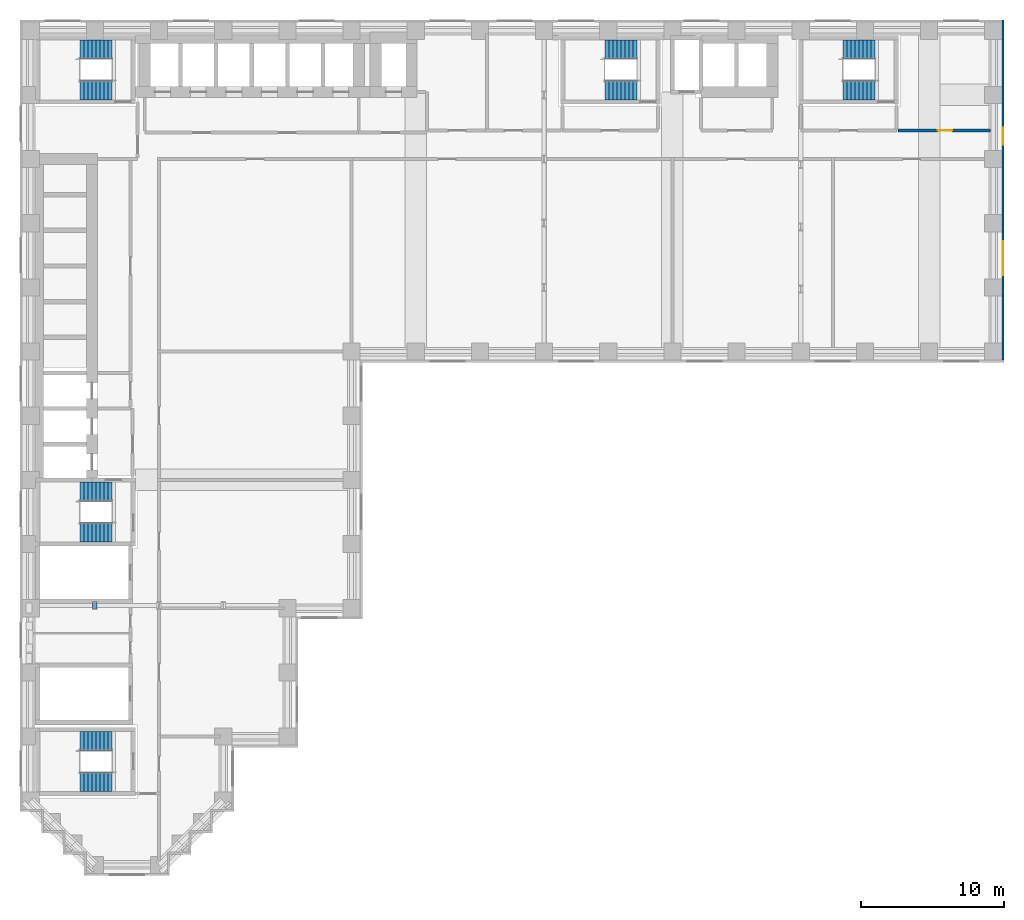
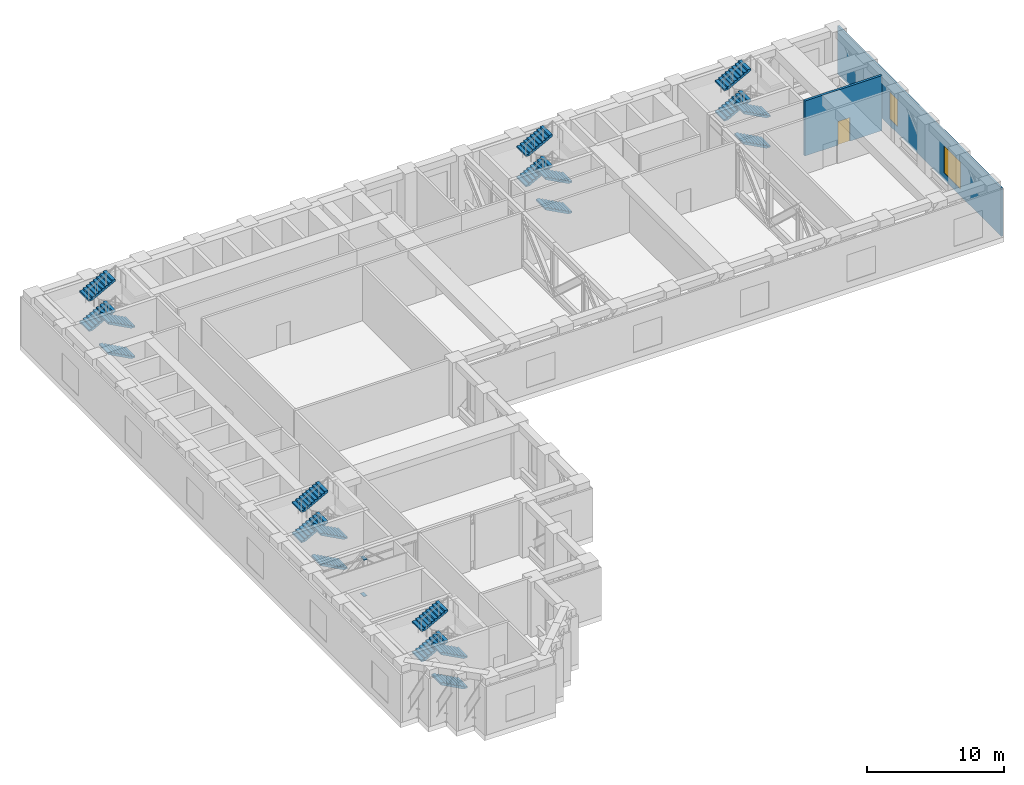
# One storey, part 9 of 13: 20 stair flights, 2 discrete accessories, 2 walls, 2 windows, 1 door, 3 openings, 5 elements without a shape of their own.
"""IFC4 building model written with IfcOpenShell, lengths in metres."""

from ifc_helpers import new_model, si_unit, direction, frame, frame_2d, origin, origin_2d, place, context, subcontext, project, spatial, polyline, rectangle, outline, extrude, material, layer, layer_set, material_profile, profile_set, type_object, element, fill, aggregate, save


model = new_model("IFC4")

# Units and contexts
model_context = context("Model", 3, precision=1e-05, world=origin(), true_north=direction((0.0, 1.0)))
body_context = subcontext(model_context, "Body", "Model", "MODEL_VIEW")
ifc_project = project(units=[si_unit("LENGTHUNIT", "METRE"), si_unit("AREAUNIT", "SQUARE_METRE"), si_unit("VOLUMEUNIT", "CUBIC_METRE"), si_unit("PLANEANGLEUNIT", "RADIAN"), si_unit("MASSUNIT", "GRAM", prefix="KILO")], contexts=[model_context])

# Site, building, storey
site_placement = place(None, origin())
site = spatial("IfcSite", under=ifc_project, at=site_placement, CompositionType="ELEMENT")
building_placement = place(site_placement, origin())
building = spatial("IfcBuilding", under=site, at=building_placement, Name="Firuza Court", CompositionType="ELEMENT")
storey_placement = place(building_placement, frame((0.0, 0.0, 108.199951171875)))
storey = spatial("IfcBuildingStorey", under=building, at=storey_placement, Name="L27", CompositionType="ELEMENT", Elevation=108.199951171875)

# Wall, opening, door
ifc_material_1 = material(Name="Blockwork, fire-rated", Category="masonry")
ifc_layer_1 = layer(ifc_material_1, 0.199951171875)
ifc_layer_set_1 = layer_set([ifc_layer_1], Name="Blockwork, fire-rated")
wall_type_1 = type_object("IfcWallType", Name="Plant room wall 200", PredefinedType="PARTITIONING", material=ifc_layer_set_1)
wall_1_placement = place(storey_placement, frame((67.30859375, 51.5, 0.0), z_axis=(0.0, 0.0, 1.0), x_axis=(-1.0, 0.0, 0.0)))
wall_1 = element("IfcWall", 1, at=wall_1_placement, inside=storey, type_object=wall_type_1, Name="Plant room wall 200 L27", PredefinedType="PARTITIONING", context=body_context, shape_type="SweptSolid", body=[
    extrude(rectangle(XDim=6.508544921875, YDim=0.199951171875, at=frame_2d((3.25439453125, 0.0))), origin(), (0.0, 0.0, 1.0), 4.900146484375),
])
opening_1_placement = place(wall_1_placement, frame((2.7041015625, 0.0, 0.0)))
opening_1 = element("IfcOpeningElement", 2, at=opening_1_placement, cuts=wall_1, Name="Opening D27033", PredefinedType="OPENING", context=body_context, shape_type="SweptSolid", body=[
    extrude(rectangle(XDim=1.0, YDim=2.10009765625, at=frame_2d((0.5, 1.050048828125))), frame((0.0, 0.11181640625, 0.0), z_axis=(0.0, -1.0, 0.0), x_axis=(1.0, 0.0, 0.0)), (0.0, 0.0, 1.0), 0.223876953125),
])
ifc_material_2 = material(Name="Timber door leaf in hardwood frame", Category="wood")
door_type = type_object("IfcDoorType", Name="Store door 1000", OperationType="SINGLE_SWING_LEFT", PredefinedType="DOOR", material=ifc_material_2)
door_placement = place(opening_1_placement, frame((1.0, 0.0, 0.0), z_axis=(0.0, 0.0, 1.0), x_axis=(-1.0, 0.0, 0.0)))
door = element("IfcDoor", 3, at=door_placement, inside=storey, type_object=door_type, Name="Store door", OperationType="SINGLE_SWING_LEFT", OverallHeight=2.10009765625, OverallWidth=1.0, PredefinedType="DOOR", context=body_context, shape_type="SweptSolid", body=[
    extrude(rectangle(XDim=1.0, YDim=2.10009765625, at=frame_2d((0.5, 1.050048828125))), frame((0.0, 0.02490234375, 0.0), z_axis=(0.0, -1.0, 0.0), x_axis=(1.0, 0.0, 0.0)), (0.0, 0.0, 1.0), 0.050048828125),
])
fill(opening_1, door)

# Wall, openings, windows
ifc_material_3 = material(Name="Ceramic tile", Category="ceramic")
ifc_layer_2 = layer(ifc_material_3, 0.02001953125)
ifc_material_4 = material(Name="Mineral wool insulation", Category="insulation")
ifc_layer_3 = layer(ifc_material_4, 0.050048828125)
ifc_material_5 = material(Name="Concrete C40/50 precast", Category="concrete")
ifc_layer_4 = layer(ifc_material_5, 0.080078125)
ifc_layer_set_2 = layer_set([ifc_layer_2, ifc_layer_3, ifc_layer_4], Name="Concrete C40/50 precast")
wall_type_2 = type_object("IfcWallType", Name="Precast cladding wall with turquoise TILE PANEL face 150", PredefinedType="STANDARD", material=ifc_layer_set_2)
wall_2_placement = place(storey_placement, frame((68.175048828125, 35.39990234375, 0.0), z_axis=(0.0, 0.0, 1.0), x_axis=(0.0, 1.0, 0.0)))
wall_2 = element("IfcWall", 4, at=wall_2_placement, inside=storey, type_object=wall_type_2, Name="Facade wall L27 E", PredefinedType="STANDARD", context=body_context, shape_type="SweptSolid", body=[
    extrude(rectangle(XDim=23.85009765625, YDim=0.14990234375, at=frame_2d((11.925048828125, 0.0))), origin(), (0.0, 0.0, 1.0), 4.300048828125),
])
opening_2_placement = place(wall_2_placement, frame((5.949951171875, 0.0, 0.60009765625)))
opening_2 = element("IfcOpeningElement", 5, at=opening_2_placement, cuts=wall_2, Name="Opening LV2", PredefinedType="OPENING", context=body_context, shape_type="SweptSolid", body=[
    extrude(rectangle(XDim=2.39990234375, YDim=2.39990234375, at=frame_2d((1.199951171875, 1.199951171875))), frame((0.0, 0.0869140625, 0.0), z_axis=(0.0, -1.0, 0.0), x_axis=(1.0, 0.0, 0.0)), (0.0, 0.0, 1.0), 0.173828125),
])
opening_3_placement = place(wall_2_placement, frame((15.109619140625, 0.0, 0.60009765625)))
opening_3 = element("IfcOpeningElement", 6, at=opening_3_placement, cuts=wall_2, Name="Opening LV5", PredefinedType="OPENING", context=body_context, shape_type="SweptSolid", body=[
    extrude(rectangle(XDim=1.199951171875, YDim=2.39990234375, at=frame_2d((0.60009765625, 1.199951171875))), frame((0.0, 0.0869140625, 0.0), z_axis=(0.0, -1.0, 0.0), x_axis=(1.0, 0.0, 0.0)), (0.0, 0.0, 1.0), 0.173828125),
])
ifc_material_6 = material(Name="Aluminium weather louvre with insect mesh", Category="aluminium")
window_type_1 = type_object("IfcWindowType", Name="Plant louvre 1200 x 2400", PartitioningType="SINGLE_PANEL", PredefinedType="USERDEFINED", material=ifc_material_6)
window_1_placement = place(opening_3_placement, origin())
window_1 = element("IfcWindow", 7, at=window_1_placement, inside=storey, type_object=window_type_1, Name="Louvre L27", ObjectType="LOUVRE", OverallHeight=2.39990234375, OverallWidth=1.199951171875, PartitioningType="SINGLE_PANEL", PredefinedType="USERDEFINED", context=body_context, shape_type="SweptSolid", body=[
    extrude(rectangle(XDim=1.199951171875, YDim=2.39990234375, at=frame_2d((0.60009765625, 1.199951171875))), frame((0.0, 0.030029296875, 0.0), z_axis=(0.0, -1.0, 0.0), x_axis=(1.0, 0.0, 0.0)), (0.0, 0.0, 1.0), 0.06005859375),
])
fill(opening_3, window_1)
ifc_material_7 = material(Name="Aluminium weather louvre with insect mesh", Category="aluminium")
window_type_2 = type_object("IfcWindowType", Name="Plant louvre 2400 x 2400", PartitioningType="SINGLE_PANEL", PredefinedType="USERDEFINED", material=ifc_material_7)
window_2_placement = place(opening_2_placement, origin())
window_2 = element("IfcWindow", 8, at=window_2_placement, inside=storey, type_object=window_type_2, Name="Louvre L27", ObjectType="LOUVRE", OverallHeight=2.39990234375, OverallWidth=2.39990234375, PartitioningType="SINGLE_PANEL", PredefinedType="USERDEFINED", context=body_context, shape_type="SweptSolid", body=[
    extrude(rectangle(XDim=2.39990234375, YDim=2.39990234375, at=frame_2d((1.199951171875, 1.199951171875))), frame((0.0, 0.030029296875, 0.0), z_axis=(0.0, -1.0, 0.0), x_axis=(1.0, 0.0, 0.0)), (0.0, 0.0, 1.0), 0.06005859375),
])
fill(opening_2, window_2)

# Stair, stair flights
ifc_material_8 = material(Name="Concrete C40/50 precast", Category="concrete")
stair_type = type_object("IfcStairType", Name="Stair 1350 x 5400 4 flights", PredefinedType="QUARTER_TURN_STAIR", material=ifc_material_8)
stair_1_placement = place(storey_placement, origin())
stair_1 = element("IfcStair", 9, at=stair_1_placement, inside=storey, type_object=stair_type, Name="Stair 1 L27", PredefinedType="QUARTER_TURN_STAIR")
ifc_material_9 = material(Name="Concrete C40/50 precast", Category="concrete")
stair_flight_type = type_object("IfcStairFlightType", Name="Flight 1350 riser 150.0", PredefinedType="STRAIGHT", material=ifc_material_9)
stair_flight_1_placement = place(storey_placement, frame((42.5, 54.324951171875, 0.0), z_axis=(0.0, 0.0, 1.0), x_axis=(-1.0, 0.0, 0.0)))
stair_flight_1 = element("IfcStairFlight", 10, at=stair_flight_1_placement, type_object=stair_flight_type, Name="S1 flight 1", NumberOfRisers=9, NumberOfTreads=8, PredefinedType="STRAIGHT", RiserHeight=0.15, TreadLength=0.28, context=body_context, shape_type="SweptSolid", body=[
    extrude(outline(polyline([(0.0, 0.0), (0.0, 0.14990234375), (0.280029296875, 0.14990234375), (0.280029296875, 0.300048828125), (0.56005859375, 0.300048828125), (0.56005859375, 0.449951171875), (0.840087890625, 0.449951171875), (0.840087890625, 0.60009765625), (1.1201171875, 0.60009765625), (1.1201171875, 0.75), (1.39990234375, 0.75), (1.39990234375, 0.89990234375), (1.679931640625, 0.89990234375), (1.679931640625, 1.050048828125), (1.9599609375, 1.050048828125), (1.9599609375, 1.199951171875), (2.239990234375, 1.199951171875), (2.239990234375, 1.35009765625), (2.239990234375, 1.030029296875), (0.3173828125, 0.0), (0.0, 0.0)])), frame((0.0, 0.675048828125, 0.0), z_axis=(0.0, -1.0, 0.0), x_axis=(1.0, 0.0, 0.0)), (0.0, 0.0, 1.0), 1.35009765625),
])
stair_flight_2_placement = place(storey_placement, frame((40.260009765625, 57.175048828125, 1.35009765625), z_axis=(0.0, 0.0, 1.0), x_axis=(1.0, 0.0, 0.0)))
stair_flight_2 = element("IfcStairFlight", 11, at=stair_flight_2_placement, type_object=stair_flight_type, Name="S1 flight 2", NumberOfRisers=9, NumberOfTreads=8, PredefinedType="STRAIGHT", RiserHeight=0.15, TreadLength=0.28, context=body_context, shape_type="SweptSolid", body=[
    extrude(outline(polyline([(0.0, 0.0), (0.0, 0.14990234375), (0.280029296875, 0.14990234375), (0.280029296875, 0.300048828125), (0.56005859375, 0.300048828125), (0.56005859375, 0.449951171875), (0.840087890625, 0.449951171875), (0.840087890625, 0.60009765625), (1.1201171875, 0.60009765625), (1.1201171875, 0.75), (1.39990234375, 0.75), (1.39990234375, 0.89990234375), (1.679931640625, 0.89990234375), (1.679931640625, 1.050048828125), (1.9599609375, 1.050048828125), (1.9599609375, 1.199951171875), (2.239990234375, 1.199951171875), (2.239990234375, 1.35009765625), (2.239990234375, 1.030029296875), (0.3173828125, 0.0), (0.0, 0.0)])), frame((0.0, 0.675048828125, 0.0), z_axis=(0.0, -1.0, 0.0), x_axis=(1.0, 0.0, 0.0)), (0.0, 0.0, 1.0), 1.35009765625),
])
stair_flight_3_placement = place(storey_placement, frame((42.5, 54.324951171875, 2.699951171875), z_axis=(0.0, 0.0, 1.0), x_axis=(-1.0, 0.0, 0.0)))
stair_flight_3 = element("IfcStairFlight", 12, at=stair_flight_3_placement, type_object=stair_flight_type, Name="S1 flight 3", NumberOfRisers=9, NumberOfTreads=8, PredefinedType="STRAIGHT", RiserHeight=0.15, TreadLength=0.28, context=body_context, shape_type="SweptSolid", body=[
    extrude(outline(polyline([(0.0, 0.0), (0.0, 0.14990234375), (0.280029296875, 0.14990234375), (0.280029296875, 0.300048828125), (0.56005859375, 0.300048828125), (0.56005859375, 0.449951171875), (0.840087890625, 0.449951171875), (0.840087890625, 0.60009765625), (1.1201171875, 0.60009765625), (1.1201171875, 0.75), (1.39990234375, 0.75), (1.39990234375, 0.89990234375), (1.679931640625, 0.89990234375), (1.679931640625, 1.050048828125), (1.9599609375, 1.050048828125), (1.9599609375, 1.199951171875), (2.239990234375, 1.199951171875), (2.239990234375, 1.35009765625), (2.239990234375, 1.030029296875), (0.3173828125, 0.0), (0.0, 0.0)])), frame((0.0, 0.675048828125, 0.0), z_axis=(0.0, -1.0, 0.0), x_axis=(1.0, 0.0, 0.0)), (0.0, 0.0, 1.0), 1.35009765625),
])
stair_flight_4_placement = place(storey_placement, frame((40.260009765625, 57.175048828125, 4.050048828125), z_axis=(0.0, 0.0, 1.0), x_axis=(1.0, 0.0, 0.0)))
stair_flight_4 = element("IfcStairFlight", 13, at=stair_flight_4_placement, type_object=stair_flight_type, Name="S1 flight 4", NumberOfRisers=9, NumberOfTreads=8, PredefinedType="STRAIGHT", RiserHeight=0.15, TreadLength=0.28, context=body_context, shape_type="SweptSolid", body=[
    extrude(outline(polyline([(0.0, 0.0), (0.0, 0.14990234375), (0.280029296875, 0.14990234375), (0.280029296875, 0.300048828125), (0.56005859375, 0.300048828125), (0.56005859375, 0.449951171875), (0.840087890625, 0.449951171875), (0.840087890625, 0.60009765625), (1.1201171875, 0.60009765625), (1.1201171875, 0.75), (1.39990234375, 0.75), (1.39990234375, 0.89990234375), (1.679931640625, 0.89990234375), (1.679931640625, 1.050048828125), (1.9599609375, 1.050048828125), (1.9599609375, 1.199951171875), (2.239990234375, 1.199951171875), (2.239990234375, 1.35009765625), (2.239990234375, 1.030029296875), (0.3173828125, 0.0), (0.0, 0.0)])), frame((0.0, 0.675048828125, 0.0), z_axis=(0.0, -1.0, 0.0), x_axis=(1.0, 0.0, 0.0)), (0.0, 0.0, 1.0), 1.35009765625),
])
aggregate(stair_1, [stair_flight_1, stair_flight_2, stair_flight_3, stair_flight_4])

stair_2_placement = place(storey_placement, origin())
stair_2 = element("IfcStair", 14, at=stair_2_placement, inside=storey, type_object=stair_type, Name="Stair 2 L27", PredefinedType="QUARTER_TURN_STAIR")
stair_flight_5_placement = place(storey_placement, frame((5.699951171875, 23.324951171875, 0.0), z_axis=(0.0, 0.0, 1.0), x_axis=(-1.0, 0.0, 0.0)))
stair_flight_5 = element("IfcStairFlight", 15, at=stair_flight_5_placement, type_object=stair_flight_type, Name="S2 flight 1", NumberOfRisers=9, NumberOfTreads=8, PredefinedType="STRAIGHT", RiserHeight=0.15, TreadLength=0.28, context=body_context, shape_type="SweptSolid", body=[
    extrude(outline(polyline([(0.0, 0.0), (0.0, 0.14990234375), (0.280029296875, 0.14990234375), (0.280029296875, 0.300048828125), (0.56005859375, 0.300048828125), (0.56005859375, 0.449951171875), (0.840087890625, 0.449951171875), (0.840087890625, 0.60009765625), (1.1201171875, 0.60009765625), (1.1201171875, 0.75), (1.39990234375, 0.75), (1.39990234375, 0.89990234375), (1.679931640625, 0.89990234375), (1.679931640625, 1.050048828125), (1.9599609375, 1.050048828125), (1.9599609375, 1.199951171875), (2.239990234375, 1.199951171875), (2.239990234375, 1.35009765625), (2.239990234375, 1.030029296875), (0.3173828125, 0.0), (0.0, 0.0)])), frame((0.0, 0.675048828125, 0.0), z_axis=(0.0, -1.0, 0.0), x_axis=(1.0, 0.0, 0.0)), (0.0, 0.0, 1.0), 1.35009765625),
])
stair_flight_6_placement = place(storey_placement, frame((3.4599609375, 26.175048828125, 1.35009765625), z_axis=(0.0, 0.0, 1.0), x_axis=(1.0, 0.0, 0.0)))
stair_flight_6 = element("IfcStairFlight", 16, at=stair_flight_6_placement, type_object=stair_flight_type, Name="S2 flight 2", NumberOfRisers=9, NumberOfTreads=8, PredefinedType="STRAIGHT", RiserHeight=0.15, TreadLength=0.28, context=body_context, shape_type="SweptSolid", body=[
    extrude(outline(polyline([(0.0, 0.0), (0.0, 0.14990234375), (0.280029296875, 0.14990234375), (0.280029296875, 0.300048828125), (0.56005859375, 0.300048828125), (0.56005859375, 0.449951171875), (0.840087890625, 0.449951171875), (0.840087890625, 0.60009765625), (1.1201171875, 0.60009765625), (1.1201171875, 0.75), (1.39990234375, 0.75), (1.39990234375, 0.89990234375), (1.679931640625, 0.89990234375), (1.679931640625, 1.050048828125), (1.9599609375, 1.050048828125), (1.9599609375, 1.199951171875), (2.239990234375, 1.199951171875), (2.239990234375, 1.35009765625), (2.239990234375, 1.030029296875), (0.3173828125, 0.0), (0.0, 0.0)])), frame((0.0, 0.675048828125, 0.0), z_axis=(0.0, -1.0, 0.0), x_axis=(1.0, 0.0, 0.0)), (0.0, 0.0, 1.0), 1.35009765625),
])
stair_flight_7_placement = place(storey_placement, frame((5.699951171875, 23.324951171875, 2.699951171875), z_axis=(0.0, 0.0, 1.0), x_axis=(-1.0, 0.0, 0.0)))
stair_flight_7 = element("IfcStairFlight", 17, at=stair_flight_7_placement, type_object=stair_flight_type, Name="S2 flight 3", NumberOfRisers=9, NumberOfTreads=8, PredefinedType="STRAIGHT", RiserHeight=0.15, TreadLength=0.28, context=body_context, shape_type="SweptSolid", body=[
    extrude(outline(polyline([(0.0, 0.0), (0.0, 0.14990234375), (0.280029296875, 0.14990234375), (0.280029296875, 0.300048828125), (0.56005859375, 0.300048828125), (0.56005859375, 0.449951171875), (0.840087890625, 0.449951171875), (0.840087890625, 0.60009765625), (1.1201171875, 0.60009765625), (1.1201171875, 0.75), (1.39990234375, 0.75), (1.39990234375, 0.89990234375), (1.679931640625, 0.89990234375), (1.679931640625, 1.050048828125), (1.9599609375, 1.050048828125), (1.9599609375, 1.199951171875), (2.239990234375, 1.199951171875), (2.239990234375, 1.35009765625), (2.239990234375, 1.030029296875), (0.3173828125, 0.0), (0.0, 0.0)])), frame((0.0, 0.675048828125, 0.0), z_axis=(0.0, -1.0, 0.0), x_axis=(1.0, 0.0, 0.0)), (0.0, 0.0, 1.0), 1.35009765625),
])
stair_flight_8_placement = place(storey_placement, frame((3.4599609375, 26.175048828125, 4.050048828125), z_axis=(0.0, 0.0, 1.0), x_axis=(1.0, 0.0, 0.0)))
stair_flight_8 = element("IfcStairFlight", 18, at=stair_flight_8_placement, type_object=stair_flight_type, Name="S2 flight 4", NumberOfRisers=9, NumberOfTreads=8, PredefinedType="STRAIGHT", RiserHeight=0.15, TreadLength=0.28, context=body_context, shape_type="SweptSolid", body=[
    extrude(outline(polyline([(0.0, 0.0), (0.0, 0.14990234375), (0.280029296875, 0.14990234375), (0.280029296875, 0.300048828125), (0.56005859375, 0.300048828125), (0.56005859375, 0.449951171875), (0.840087890625, 0.449951171875), (0.840087890625, 0.60009765625), (1.1201171875, 0.60009765625), (1.1201171875, 0.75), (1.39990234375, 0.75), (1.39990234375, 0.89990234375), (1.679931640625, 0.89990234375), (1.679931640625, 1.050048828125), (1.9599609375, 1.050048828125), (1.9599609375, 1.199951171875), (2.239990234375, 1.199951171875), (2.239990234375, 1.35009765625), (2.239990234375, 1.030029296875), (0.3173828125, 0.0), (0.0, 0.0)])), frame((0.0, 0.675048828125, 0.0), z_axis=(0.0, -1.0, 0.0), x_axis=(1.0, 0.0, 0.0)), (0.0, 0.0, 1.0), 1.35009765625),
])
aggregate(stair_2, [stair_flight_5, stair_flight_6, stair_flight_7, stair_flight_8])

stair_3_placement = place(storey_placement, origin())
stair_3 = element("IfcStair", 19, at=stair_3_placement, inside=storey, type_object=stair_type, Name="Stair 3 L27", PredefinedType="QUARTER_TURN_STAIR")
stair_flight_9_placement = place(storey_placement, frame((5.699951171875, 54.324951171875, 0.0), z_axis=(0.0, 0.0, 1.0), x_axis=(-1.0, 0.0, 0.0)))
stair_flight_9 = element("IfcStairFlight", 20, at=stair_flight_9_placement, type_object=stair_flight_type, Name="S3 flight 1", NumberOfRisers=9, NumberOfTreads=8, PredefinedType="STRAIGHT", RiserHeight=0.15, TreadLength=0.28, context=body_context, shape_type="SweptSolid", body=[
    extrude(outline(polyline([(0.0, 0.0), (0.0, 0.14990234375), (0.280029296875, 0.14990234375), (0.280029296875, 0.300048828125), (0.56005859375, 0.300048828125), (0.56005859375, 0.449951171875), (0.840087890625, 0.449951171875), (0.840087890625, 0.60009765625), (1.1201171875, 0.60009765625), (1.1201171875, 0.75), (1.39990234375, 0.75), (1.39990234375, 0.89990234375), (1.679931640625, 0.89990234375), (1.679931640625, 1.050048828125), (1.9599609375, 1.050048828125), (1.9599609375, 1.199951171875), (2.239990234375, 1.199951171875), (2.239990234375, 1.35009765625), (2.239990234375, 1.030029296875), (0.3173828125, 0.0), (0.0, 0.0)])), frame((0.0, 0.675048828125, 0.0), z_axis=(0.0, -1.0, 0.0), x_axis=(1.0, 0.0, 0.0)), (0.0, 0.0, 1.0), 1.35009765625),
])
stair_flight_10_placement = place(storey_placement, frame((3.4599609375, 57.175048828125, 1.35009765625), z_axis=(0.0, 0.0, 1.0), x_axis=(1.0, 0.0, 0.0)))
stair_flight_10 = element("IfcStairFlight", 21, at=stair_flight_10_placement, type_object=stair_flight_type, Name="S3 flight 2", NumberOfRisers=9, NumberOfTreads=8, PredefinedType="STRAIGHT", RiserHeight=0.15, TreadLength=0.28, context=body_context, shape_type="SweptSolid", body=[
    extrude(outline(polyline([(0.0, 0.0), (0.0, 0.14990234375), (0.280029296875, 0.14990234375), (0.280029296875, 0.300048828125), (0.56005859375, 0.300048828125), (0.56005859375, 0.449951171875), (0.840087890625, 0.449951171875), (0.840087890625, 0.60009765625), (1.1201171875, 0.60009765625), (1.1201171875, 0.75), (1.39990234375, 0.75), (1.39990234375, 0.89990234375), (1.679931640625, 0.89990234375), (1.679931640625, 1.050048828125), (1.9599609375, 1.050048828125), (1.9599609375, 1.199951171875), (2.239990234375, 1.199951171875), (2.239990234375, 1.35009765625), (2.239990234375, 1.030029296875), (0.3173828125, 0.0), (0.0, 0.0)])), frame((0.0, 0.675048828125, 0.0), z_axis=(0.0, -1.0, 0.0), x_axis=(1.0, 0.0, 0.0)), (0.0, 0.0, 1.0), 1.35009765625),
])
stair_flight_11_placement = place(storey_placement, frame((5.699951171875, 54.324951171875, 2.699951171875), z_axis=(0.0, 0.0, 1.0), x_axis=(-1.0, 0.0, 0.0)))
stair_flight_11 = element("IfcStairFlight", 22, at=stair_flight_11_placement, type_object=stair_flight_type, Name="S3 flight 3", NumberOfRisers=9, NumberOfTreads=8, PredefinedType="STRAIGHT", RiserHeight=0.15, TreadLength=0.28, context=body_context, shape_type="SweptSolid", body=[
    extrude(outline(polyline([(0.0, 0.0), (0.0, 0.14990234375), (0.280029296875, 0.14990234375), (0.280029296875, 0.300048828125), (0.56005859375, 0.300048828125), (0.56005859375, 0.449951171875), (0.840087890625, 0.449951171875), (0.840087890625, 0.60009765625), (1.1201171875, 0.60009765625), (1.1201171875, 0.75), (1.39990234375, 0.75), (1.39990234375, 0.89990234375), (1.679931640625, 0.89990234375), (1.679931640625, 1.050048828125), (1.9599609375, 1.050048828125), (1.9599609375, 1.199951171875), (2.239990234375, 1.199951171875), (2.239990234375, 1.35009765625), (2.239990234375, 1.030029296875), (0.3173828125, 0.0), (0.0, 0.0)])), frame((0.0, 0.675048828125, 0.0), z_axis=(0.0, -1.0, 0.0), x_axis=(1.0, 0.0, 0.0)), (0.0, 0.0, 1.0), 1.35009765625),
])
stair_flight_12_placement = place(storey_placement, frame((3.4599609375, 57.175048828125, 4.050048828125), z_axis=(0.0, 0.0, 1.0), x_axis=(1.0, 0.0, 0.0)))
stair_flight_12 = element("IfcStairFlight", 23, at=stair_flight_12_placement, type_object=stair_flight_type, Name="S3 flight 4", NumberOfRisers=9, NumberOfTreads=8, PredefinedType="STRAIGHT", RiserHeight=0.15, TreadLength=0.28, context=body_context, shape_type="SweptSolid", body=[
    extrude(outline(polyline([(0.0, 0.0), (0.0, 0.14990234375), (0.280029296875, 0.14990234375), (0.280029296875, 0.300048828125), (0.56005859375, 0.300048828125), (0.56005859375, 0.449951171875), (0.840087890625, 0.449951171875), (0.840087890625, 0.60009765625), (1.1201171875, 0.60009765625), (1.1201171875, 0.75), (1.39990234375, 0.75), (1.39990234375, 0.89990234375), (1.679931640625, 0.89990234375), (1.679931640625, 1.050048828125), (1.9599609375, 1.050048828125), (1.9599609375, 1.199951171875), (2.239990234375, 1.199951171875), (2.239990234375, 1.35009765625), (2.239990234375, 1.030029296875), (0.3173828125, 0.0), (0.0, 0.0)])), frame((0.0, 0.675048828125, 0.0), z_axis=(0.0, -1.0, 0.0), x_axis=(1.0, 0.0, 0.0)), (0.0, 0.0, 1.0), 1.35009765625),
])
aggregate(stair_3, [stair_flight_9, stair_flight_10, stair_flight_11, stair_flight_12])

stair_4_placement = place(storey_placement, origin())
stair_4 = element("IfcStair", 24, at=stair_4_placement, inside=storey, type_object=stair_type, Name="Stair 4 L27", PredefinedType="QUARTER_TURN_STAIR")
stair_flight_13_placement = place(storey_placement, frame((59.199951171875, 54.324951171875, 0.0), z_axis=(0.0, 0.0, 1.0), x_axis=(-1.0, 0.0, 0.0)))
stair_flight_13 = element("IfcStairFlight", 25, at=stair_flight_13_placement, type_object=stair_flight_type, Name="S4 flight 1", NumberOfRisers=9, NumberOfTreads=8, PredefinedType="STRAIGHT", RiserHeight=0.15, TreadLength=0.28, context=body_context, shape_type="SweptSolid", body=[
    extrude(outline(polyline([(0.0, 0.0), (0.0, 0.14990234375), (0.280029296875, 0.14990234375), (0.280029296875, 0.300048828125), (0.56005859375, 0.300048828125), (0.56005859375, 0.449951171875), (0.840087890625, 0.449951171875), (0.840087890625, 0.60009765625), (1.1201171875, 0.60009765625), (1.1201171875, 0.75), (1.39990234375, 0.75), (1.39990234375, 0.89990234375), (1.679931640625, 0.89990234375), (1.679931640625, 1.050048828125), (1.9599609375, 1.050048828125), (1.9599609375, 1.199951171875), (2.239990234375, 1.199951171875), (2.239990234375, 1.35009765625), (2.239990234375, 1.030029296875), (0.3173828125, 0.0), (0.0, 0.0)])), frame((0.0, 0.675048828125, 0.0), z_axis=(0.0, -1.0, 0.0), x_axis=(1.0, 0.0, 0.0)), (0.0, 0.0, 1.0), 1.35009765625),
])
stair_flight_14_placement = place(storey_placement, frame((56.9599609375, 57.175048828125, 1.35009765625), z_axis=(0.0, 0.0, 1.0), x_axis=(1.0, 0.0, 0.0)))
stair_flight_14 = element("IfcStairFlight", 26, at=stair_flight_14_placement, type_object=stair_flight_type, Name="S4 flight 2", NumberOfRisers=9, NumberOfTreads=8, PredefinedType="STRAIGHT", RiserHeight=0.15, TreadLength=0.28, context=body_context, shape_type="SweptSolid", body=[
    extrude(outline(polyline([(0.0, 0.0), (0.0, 0.14990234375), (0.280029296875, 0.14990234375), (0.280029296875, 0.300048828125), (0.56005859375, 0.300048828125), (0.56005859375, 0.449951171875), (0.840087890625, 0.449951171875), (0.840087890625, 0.60009765625), (1.1201171875, 0.60009765625), (1.1201171875, 0.75), (1.39990234375, 0.75), (1.39990234375, 0.89990234375), (1.679931640625, 0.89990234375), (1.679931640625, 1.050048828125), (1.9599609375, 1.050048828125), (1.9599609375, 1.199951171875), (2.239990234375, 1.199951171875), (2.239990234375, 1.35009765625), (2.239990234375, 1.030029296875), (0.3173828125, 0.0), (0.0, 0.0)])), frame((0.0, 0.675048828125, 0.0), z_axis=(0.0, -1.0, 0.0), x_axis=(1.0, 0.0, 0.0)), (0.0, 0.0, 1.0), 1.35009765625),
])
stair_flight_15_placement = place(storey_placement, frame((59.199951171875, 54.324951171875, 2.699951171875), z_axis=(0.0, 0.0, 1.0), x_axis=(-1.0, 0.0, 0.0)))
stair_flight_15 = element("IfcStairFlight", 27, at=stair_flight_15_placement, type_object=stair_flight_type, Name="S4 flight 3", NumberOfRisers=9, NumberOfTreads=8, PredefinedType="STRAIGHT", RiserHeight=0.15, TreadLength=0.28, context=body_context, shape_type="SweptSolid", body=[
    extrude(outline(polyline([(0.0, 0.0), (0.0, 0.14990234375), (0.280029296875, 0.14990234375), (0.280029296875, 0.300048828125), (0.56005859375, 0.300048828125), (0.56005859375, 0.449951171875), (0.840087890625, 0.449951171875), (0.840087890625, 0.60009765625), (1.1201171875, 0.60009765625), (1.1201171875, 0.75), (1.39990234375, 0.75), (1.39990234375, 0.89990234375), (1.679931640625, 0.89990234375), (1.679931640625, 1.050048828125), (1.9599609375, 1.050048828125), (1.9599609375, 1.199951171875), (2.239990234375, 1.199951171875), (2.239990234375, 1.35009765625), (2.239990234375, 1.030029296875), (0.3173828125, 0.0), (0.0, 0.0)])), frame((0.0, 0.675048828125, 0.0), z_axis=(0.0, -1.0, 0.0), x_axis=(1.0, 0.0, 0.0)), (0.0, 0.0, 1.0), 1.35009765625),
])
stair_flight_16_placement = place(storey_placement, frame((56.9599609375, 57.175048828125, 4.050048828125), z_axis=(0.0, 0.0, 1.0), x_axis=(1.0, 0.0, 0.0)))
stair_flight_16 = element("IfcStairFlight", 28, at=stair_flight_16_placement, type_object=stair_flight_type, Name="S4 flight 4", NumberOfRisers=9, NumberOfTreads=8, PredefinedType="STRAIGHT", RiserHeight=0.15, TreadLength=0.28, context=body_context, shape_type="SweptSolid", body=[
    extrude(outline(polyline([(0.0, 0.0), (0.0, 0.14990234375), (0.280029296875, 0.14990234375), (0.280029296875, 0.300048828125), (0.56005859375, 0.300048828125), (0.56005859375, 0.449951171875), (0.840087890625, 0.449951171875), (0.840087890625, 0.60009765625), (1.1201171875, 0.60009765625), (1.1201171875, 0.75), (1.39990234375, 0.75), (1.39990234375, 0.89990234375), (1.679931640625, 0.89990234375), (1.679931640625, 1.050048828125), (1.9599609375, 1.050048828125), (1.9599609375, 1.199951171875), (2.239990234375, 1.199951171875), (2.239990234375, 1.35009765625), (2.239990234375, 1.030029296875), (0.3173828125, 0.0), (0.0, 0.0)])), frame((0.0, 0.675048828125, 0.0), z_axis=(0.0, -1.0, 0.0), x_axis=(1.0, 0.0, 0.0)), (0.0, 0.0, 1.0), 1.35009765625),
])
aggregate(stair_4, [stair_flight_13, stair_flight_14, stair_flight_15, stair_flight_16])

stair_5_placement = place(storey_placement, origin())
stair_5 = element("IfcStair", 29, at=stair_5_placement, inside=storey, type_object=stair_type, Name="Stair 5 L27", PredefinedType="QUARTER_TURN_STAIR")
stair_flight_17_placement = place(storey_placement, frame((5.699951171875, 5.824951171875, 0.0), z_axis=(0.0, 0.0, 1.0), x_axis=(-1.0, 0.0, 0.0)))
stair_flight_17 = element("IfcStairFlight", 30, at=stair_flight_17_placement, type_object=stair_flight_type, Name="S5 flight 1", NumberOfRisers=9, NumberOfTreads=8, PredefinedType="STRAIGHT", RiserHeight=0.15, TreadLength=0.28, context=body_context, shape_type="SweptSolid", body=[
    extrude(outline(polyline([(0.0, 0.0), (0.0, 0.14990234375), (0.280029296875, 0.14990234375), (0.280029296875, 0.300048828125), (0.56005859375, 0.300048828125), (0.56005859375, 0.449951171875), (0.840087890625, 0.449951171875), (0.840087890625, 0.60009765625), (1.1201171875, 0.60009765625), (1.1201171875, 0.75), (1.39990234375, 0.75), (1.39990234375, 0.89990234375), (1.679931640625, 0.89990234375), (1.679931640625, 1.050048828125), (1.9599609375, 1.050048828125), (1.9599609375, 1.199951171875), (2.239990234375, 1.199951171875), (2.239990234375, 1.35009765625), (2.239990234375, 1.030029296875), (0.3173828125, 0.0), (0.0, 0.0)])), frame((0.0, 0.675048828125, 0.0), z_axis=(0.0, -1.0, 0.0), x_axis=(1.0, 0.0, 0.0)), (0.0, 0.0, 1.0), 1.35009765625),
])
stair_flight_18_placement = place(storey_placement, frame((3.4599609375, 8.675048828125, 1.35009765625), z_axis=(0.0, 0.0, 1.0), x_axis=(1.0, 0.0, 0.0)))
stair_flight_18 = element("IfcStairFlight", 31, at=stair_flight_18_placement, type_object=stair_flight_type, Name="S5 flight 2", NumberOfRisers=9, NumberOfTreads=8, PredefinedType="STRAIGHT", RiserHeight=0.15, TreadLength=0.28, context=body_context, shape_type="SweptSolid", body=[
    extrude(outline(polyline([(0.0, 0.0), (0.0, 0.14990234375), (0.280029296875, 0.14990234375), (0.280029296875, 0.300048828125), (0.56005859375, 0.300048828125), (0.56005859375, 0.449951171875), (0.840087890625, 0.449951171875), (0.840087890625, 0.60009765625), (1.1201171875, 0.60009765625), (1.1201171875, 0.75), (1.39990234375, 0.75), (1.39990234375, 0.89990234375), (1.679931640625, 0.89990234375), (1.679931640625, 1.050048828125), (1.9599609375, 1.050048828125), (1.9599609375, 1.199951171875), (2.239990234375, 1.199951171875), (2.239990234375, 1.35009765625), (2.239990234375, 1.030029296875), (0.3173828125, 0.0), (0.0, 0.0)])), frame((0.0, 0.675048828125, 0.0), z_axis=(0.0, -1.0, 0.0), x_axis=(1.0, 0.0, 0.0)), (0.0, 0.0, 1.0), 1.35009765625),
])
stair_flight_19_placement = place(storey_placement, frame((5.699951171875, 5.824951171875, 2.699951171875), z_axis=(0.0, 0.0, 1.0), x_axis=(-1.0, 0.0, 0.0)))
stair_flight_19 = element("IfcStairFlight", 32, at=stair_flight_19_placement, type_object=stair_flight_type, Name="S5 flight 3", NumberOfRisers=9, NumberOfTreads=8, PredefinedType="STRAIGHT", RiserHeight=0.15, TreadLength=0.28, context=body_context, shape_type="SweptSolid", body=[
    extrude(outline(polyline([(0.0, 0.0), (0.0, 0.14990234375), (0.280029296875, 0.14990234375), (0.280029296875, 0.300048828125), (0.56005859375, 0.300048828125), (0.56005859375, 0.449951171875), (0.840087890625, 0.449951171875), (0.840087890625, 0.60009765625), (1.1201171875, 0.60009765625), (1.1201171875, 0.75), (1.39990234375, 0.75), (1.39990234375, 0.89990234375), (1.679931640625, 0.89990234375), (1.679931640625, 1.050048828125), (1.9599609375, 1.050048828125), (1.9599609375, 1.199951171875), (2.239990234375, 1.199951171875), (2.239990234375, 1.35009765625), (2.239990234375, 1.030029296875), (0.3173828125, 0.0), (0.0, 0.0)])), frame((0.0, 0.675048828125, 0.0), z_axis=(0.0, -1.0, 0.0), x_axis=(1.0, 0.0, 0.0)), (0.0, 0.0, 1.0), 1.35009765625),
])
stair_flight_20_placement = place(storey_placement, frame((3.4599609375, 8.675048828125, 4.050048828125), z_axis=(0.0, 0.0, 1.0), x_axis=(1.0, 0.0, 0.0)))
stair_flight_20 = element("IfcStairFlight", 33, at=stair_flight_20_placement, type_object=stair_flight_type, Name="S5 flight 4", NumberOfRisers=9, NumberOfTreads=8, PredefinedType="STRAIGHT", RiserHeight=0.15, TreadLength=0.28, context=body_context, shape_type="SweptSolid", body=[
    extrude(outline(polyline([(0.0, 0.0), (0.0, 0.14990234375), (0.280029296875, 0.14990234375), (0.280029296875, 0.300048828125), (0.56005859375, 0.300048828125), (0.56005859375, 0.449951171875), (0.840087890625, 0.449951171875), (0.840087890625, 0.60009765625), (1.1201171875, 0.60009765625), (1.1201171875, 0.75), (1.39990234375, 0.75), (1.39990234375, 0.89990234375), (1.679931640625, 0.89990234375), (1.679931640625, 1.050048828125), (1.9599609375, 1.050048828125), (1.9599609375, 1.199951171875), (2.239990234375, 1.199951171875), (2.239990234375, 1.35009765625), (2.239990234375, 1.030029296875), (0.3173828125, 0.0), (0.0, 0.0)])), frame((0.0, 0.675048828125, 0.0), z_axis=(0.0, -1.0, 0.0), x_axis=(1.0, 0.0, 0.0)), (0.0, 0.0, 1.0), 1.35009765625),
])
aggregate(stair_5, [stair_flight_17, stair_flight_18, stair_flight_19, stair_flight_20])

# Discrete accessories
ifc_material_10 = material(Name="Steel S355", Category="steel")
ifc_material_profile = material_profile(ifc_material_10, rectangle(XDim=0.305908203125, YDim=0.52392578125, at=origin_2d()), Name="PL 306X524")
ifc_profile_set = profile_set([ifc_material_profile], Name="Steel S355")
discrete_accessory_type = type_object("IfcDiscreteAccessoryType", Name="BELT POST END PLATE", PredefinedType="NOTDEFINED", material=ifc_profile_set)
discrete_accessory_1_placement = place(storey_placement, frame((4.5, 18.198486328125, 0.81396484375), z_axis=(0.0, 0.0, 1.0), x_axis=(1.0, 0.0, 0.0)))
element("IfcDiscreteAccessory", 34, at=discrete_accessory_1_placement, inside=storey, type_object=discrete_accessory_type, Name="Belt truss post end plate L27", PredefinedType="NOTDEFINED", context=body_context, shape_type="SweptSolid", body=[
    extrude(rectangle(XDim=0.305908203125, YDim=0.52392578125, at=origin_2d()), origin(), (0.0, 0.0, 1.0), 0.030029296875),
])
discrete_accessory_2_placement = place(storey_placement, frame((4.5, 18.198486328125, 4.05615234375), z_axis=(0.0, 0.0, 1.0), x_axis=(1.0, 0.0, 0.0)))
element("IfcDiscreteAccessory", 35, at=discrete_accessory_2_placement, inside=storey, type_object=discrete_accessory_type, Name="Belt truss post end plate L27", PredefinedType="NOTDEFINED", context=body_context, shape_type="SweptSolid", body=[
    extrude(rectangle(XDim=0.305908203125, YDim=0.52392578125, at=origin_2d()), origin(), (0.0, 0.0, 1.0), 0.02978515625),
])

save(model, "model.ifc")
